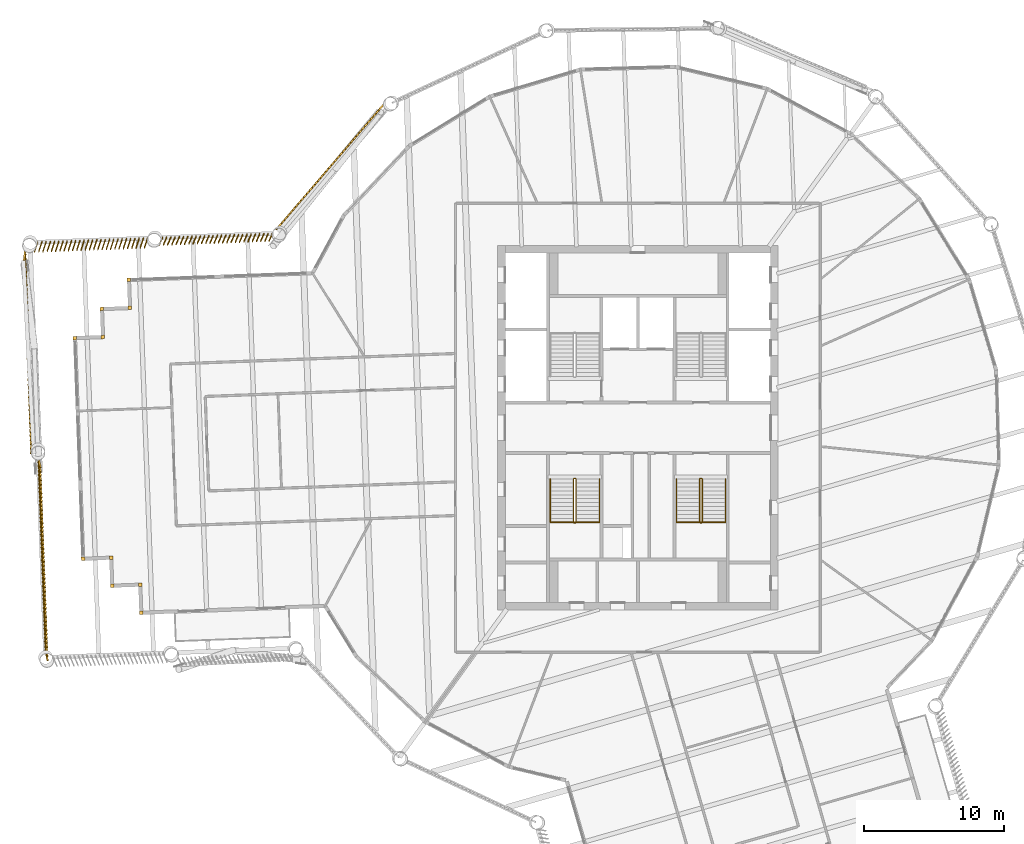
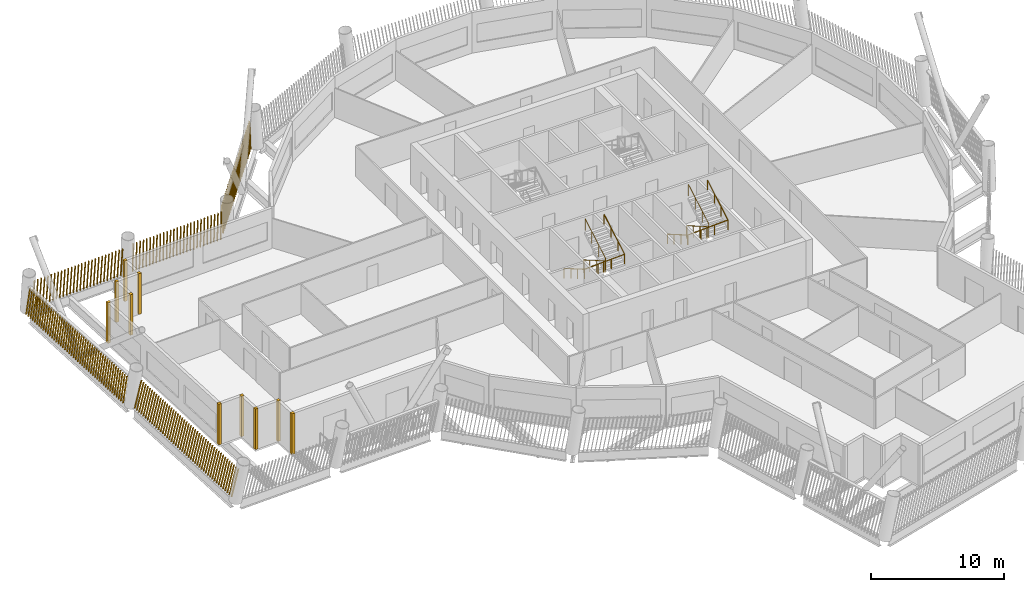
# One storey, part 17 of 20: 15 shading devices, 4 railings.
"""IFC4 building model written with IfcOpenShell, lengths in metres."""

import ifcopenshell
import ifcopenshell.guid

model = None  # the IFC model being written
_history = None  # IfcOwnerHistory: only IFC2X3 demands one
_inside = {}  # id of a spatial element -> (the spatial element, [elements in it])
_under = {}  # id of a project, library or spatial element -> (it, [spatial elements below it])
_declared = {}  # id of a project -> (the project, [libraries it declares])
_typed = {}  # id of a type object -> (the type object, [elements of that type])
_made_of = {}  # id of a material, layer set ... -> (it, [elements and type objects made of it])


def new_model(schema):
    """Start an empty IFC model of exactly this schema.

    Asked for "IFC4X3", IfcOpenShell would pick the latest addendum, in which some entities
    have other attributes; the version numbers below select the first issue.
    IFC2X3 requires an IfcOwnerHistory on every rooted entity: one is made here for all.
    """
    global model, _history
    if schema == "IFC4X3":
        model = ifcopenshell.file(schema_version=(4, 3, 0, 0))
    else:
        model = ifcopenshell.file(schema=schema)
    _inside.clear()
    _under.clear()
    _declared.clear()
    _typed.clear()
    _made_of.clear()
    _history = None
    if model.schema == "IFC2X3":
        org = make("IfcOrganization", Name="unknown")
        user = make(
            "IfcPersonAndOrganization",
            ThePerson=make("IfcPerson", FamilyName="unknown"),
            TheOrganization=org,
        )
        app = make(
            "IfcApplication",
            ApplicationDeveloper=org,
            Version="unknown",
            ApplicationFullName="unknown",
            ApplicationIdentifier="unknown",
        )
        _history = make(
            "IfcOwnerHistory",
            OwningUser=user,
            OwningApplication=app,
            ChangeAction="ADDED",
            CreationDate=0,
        )
    return model


def make(cls, **values):
    """One entity of the class cls with the attributes given. An attribute that is None is left unset."""
    return model.create_entity(
        cls, **{name: value for name, value in values.items() if value is not None}
    )


def rooted(cls, **values):
    """An entity with a GlobalId (a new one), such as an element, a storey or a relation."""
    return make(cls, GlobalId=ifcopenshell.guid.new(), OwnerHistory=_history, **values)


def si_unit(unit_type, name, prefix=None):
    """IfcSIUnit, for example si_unit("LENGTHUNIT", "METRE", prefix="MILLI")."""
    return make("IfcSIUnit", UnitType=unit_type, Prefix=prefix, Name=name)


def assignment(units):
    """IfcUnitAssignment: the units of a project."""
    return None if units is None else make("IfcUnitAssignment", Units=units)


def point(xyz):
    """IfcCartesianPoint."""
    return None if xyz is None else make("IfcCartesianPoint", Coordinates=xyz)


def direction(xyz):
    """IfcDirection."""
    return None if xyz is None else make("IfcDirection", DirectionRatios=xyz)


def frame(location, z_axis=None, x_axis=None):
    """IfcAxis2Placement3D, a coordinate frame: its origin and axes. An axis left out is left unset."""
    return make(
        "IfcAxis2Placement3D",
        Location=point(location),
        Axis=direction(z_axis),
        RefDirection=direction(x_axis),
    )


def frame_2d(location, x_axis=None):
    """IfcAxis2Placement2D, a coordinate frame in the plane: its origin and x axis."""
    return make(
        "IfcAxis2Placement2D", Location=point(location), RefDirection=direction(x_axis)
    )


def origin():
    """The frame at (0, 0, 0) with its axes left unset."""
    return frame((0.0, 0.0, 0.0))


def origin_2d():
    """The frame at (0, 0) in the plane with its x axis left unset."""
    return frame_2d((0.0, 0.0))


def place(relative_to, where):
    """IfcLocalPlacement: puts the frame where relative to a parent placement (None: the world)."""
    return make(
        "IfcLocalPlacement", PlacementRelTo=relative_to, RelativePlacement=where
    )


def context(
    kind, dimensions, precision=None, world=None, true_north=None, identifier=None
):
    """IfcGeometricRepresentationContext, for example the 3D "Model" context."""
    return make(
        "IfcGeometricRepresentationContext",
        ContextIdentifier=identifier,
        ContextType=kind,
        CoordinateSpaceDimension=dimensions,
        Precision=precision,
        WorldCoordinateSystem=world,
        TrueNorth=true_north,
    )


def subcontext(parent, identifier, kind, view, scale=None):
    """IfcGeometricRepresentationSubContext, for example "Body" below "Model"."""
    return make(
        "IfcGeometricRepresentationSubContext",
        ContextIdentifier=identifier,
        ContextType=kind,
        ParentContext=parent,
        TargetScale=scale,
        TargetView=view,
    )


def project(units=None, contexts=None):
    """IfcProject with its units and contexts."""
    return rooted(
        "IfcProject",
        Name="project",
        RepresentationContexts=contexts,
        UnitsInContext=assignment(units),
    )


def spatial(cls, under=None, at=None, **own):
    """A site, building, storey or space (cls), placed at a placement, below another one or the project."""
    s = rooted(cls, ObjectPlacement=at, **own)
    if under is not None:
        _under.setdefault(under.id(), (under, []))[1].append(s)
    return s


def profile(cls, at=None, kind="AREA", **sizes):
    """A parametric profile (cls). Its sizes go by their IFC names, for example OverallWidth=200.0."""
    return make(cls, ProfileType=kind, Position=at, **sizes)


def rectangle(**sizes):
    """IfcRectangleProfileDef."""
    return profile("IfcRectangleProfileDef", **sizes)


def circle(**sizes):
    """IfcCircleProfileDef."""
    return profile("IfcCircleProfileDef", **sizes)


def composite_profile(profiles, kind="AREA"):
    """IfcCompositeProfileDef: several profiles as one."""
    return make("IfcCompositeProfileDef", ProfileType=kind, Profiles=profiles)


def extrude(swept, where, along, depth):
    """IfcExtrudedAreaSolid: the profile swept, set in the frame where, extruded along a direction by depth."""
    return make(
        "IfcExtrudedAreaSolid",
        SweptArea=swept,
        Position=where,
        ExtrudedDirection=direction(along),
        Depth=depth,
    )


def shape(context_of_items, identifier, shape_type, items):
    """IfcShapeRepresentation: the items that make up one representation, for example the "Body"."""
    return make(
        "IfcShapeRepresentation",
        ContextOfItems=context_of_items,
        RepresentationIdentifier=identifier,
        RepresentationType=shape_type,
        Items=items,
    )


def material(Name=None, Category=None):
    """IfcMaterial."""
    return make("IfcMaterial", Name=Name, Category=Category)


def made_of(thing, what):
    """Note that an element or type object is made of a material, layer set ...; save() writes the relation."""
    if what is not None:
        _made_of.setdefault(what.id(), (what, []))[1].append(thing)
    return thing


def type_object(cls, material=None, **own):
    """A type object (cls), such as IfcWallType, which elements share."""
    return made_of(rooted(cls, **own), material)


def element(
    cls,
    number,
    at=None,
    inside=None,
    cuts=None,
    type_object=None,
    material=None,
    context=None,
    identifier="Body",
    shape_type=None,
    held_by="IfcProductDefinitionShape",
    body=None,
    shapes=None,
    **own,
):
    """One element of the class cls, such as IfcWall. Its Tag is "e" and its number.

    at: its placement. inside: the storey or other place that contains it. cuts: it is an
    opening in that element (IfcRelVoidsElement). A single representation is given by context,
    identifier, shape_type and body (its items); several are given by shapes. held_by: the class
    of the entity that holds the representations. save() writes the other relations.
    """
    e = rooted(cls, Tag="e%d" % number, ObjectPlacement=at, **own)
    if body is not None:
        shapes = [shape(context, identifier, shape_type, body)]
    if shapes is not None:
        e.Representation = make(held_by, Representations=shapes)
    if inside is not None:
        _inside.setdefault(inside.id(), (inside, []))[1].append(e)
    if cuts is not None:
        rooted(
            "IfcRelVoidsElement", RelatingBuildingElement=cuts, RelatedOpeningElement=e
        )
    if type_object is not None:
        _typed.setdefault(type_object.id(), (type_object, []))[1].append(e)
    return made_of(e, material)


def aggregate(whole, parts):
    """IfcRelAggregates: a whole, such as a stair, and the parts it consists of."""
    return rooted("IfcRelAggregates", RelatingObject=whole, RelatedObjects=parts)


def save(model, path):
    """Write the relations noted so far, then the file.

    IfcRelAggregates (storeys below a building ...), IfcRelContainedInSpatialStructure (elements
    in a storey), IfcRelDefinesByType, IfcRelAssociatesMaterial and IfcRelDeclares: one each for
    every whole, place, type object, material and project.
    """
    for whole, parts in _under.values():
        aggregate(whole, parts)
    for where, things in _inside.values():
        rooted(
            "IfcRelContainedInSpatialStructure",
            RelatedElements=things,
            RelatingStructure=where,
        )
    for kind, things in _typed.values():
        rooted("IfcRelDefinesByType", RelatedObjects=things, RelatingType=kind)
    for what, things in _made_of.values():
        rooted("IfcRelAssociatesMaterial", RelatedObjects=things, RelatingMaterial=what)
    for by, libraries in _declared.values():
        rooted("IfcRelDeclares", RelatingContext=by, RelatedDefinitions=libraries)
    model.write(path)


model = new_model("IFC4")

# Units and contexts
model_context = context("Model", 3, precision=1e-05, world=origin(), true_north=direction((0.0, 1.0)))
body_context = subcontext(model_context, "Body", "Model", "MODEL_VIEW")
ifc_project = project(units=[si_unit("LENGTHUNIT", "METRE"), si_unit("AREAUNIT", "SQUARE_METRE"), si_unit("VOLUMEUNIT", "CUBIC_METRE"), si_unit("PLANEANGLEUNIT", "RADIAN"), si_unit("MASSUNIT", "GRAM", prefix="KILO")], contexts=[model_context])

# Site, building, storey
site_placement = place(None, origin())
site = spatial("IfcSite", under=ifc_project, at=site_placement, CompositionType="ELEMENT")
building_placement = place(site_placement, origin())
building = spatial("IfcBuilding", under=site, at=building_placement, Name="Tarsis Ring Headquarters", CompositionType="ELEMENT")
storey_placement = place(building_placement, frame((0.0, 0.0, 294.199951171875)))
storey = spatial("IfcBuildingStorey", under=building, at=storey_placement, Name="L69", CompositionType="ELEMENT", Elevation=294.199951171875)

# Railings
ifc_material_1 = material(Name="Steel S355", Category="steel")
railing_type_1 = type_object("IfcRailingType", Name="Core stair guard 1100", PredefinedType="GUARDRAIL", material=ifc_material_1)
railing_1_placement = place(storey_placement, frame((-4.4599609375, -3.610107421875, 0.0)))
element("IfcRailing", 1, at=railing_1_placement, inside=storey, type_object=railing_type_1, Name="L69 ST3 stair guard 1", PredefinedType="GUARDRAIL", context=body_context, shape_type="SweptSolid", body=[
    extrude(circle(Radius=0.02392578125, at=origin_2d()), frame((0.0, 0.0, 1.076171875), z_axis=(-1.0, 0.0, 0.0), x_axis=(0.0, -1.0, 0.0)), (0.0, 0.0, 1.0), 0.080078125),
    extrude(circle(Radius=0.02392578125, at=origin_2d()), frame((-0.080078125, 0.0, 1.076171875), z_axis=(-0.282336740067, -0.280959487676, 0.917250092119), x_axis=(0.705375805398, -0.708833529934, 0.0)), (0.0, 0.0, 1.0), 0.17724609375),
    extrude(circle(Radius=0.02392578125, at=origin_2d()), frame((-0.130126953125, -0.0498046875, 1.23876953125), z_axis=(0.0, -0.864920483161, 0.501908913857), x_axis=(1.0, 0.0, 0.0)), (0.0, 0.0, 1.0), 3.56103515625),
    extrude(circle(Radius=0.02392578125, at=origin_2d()), frame((-0.130126953125, -3.1298828125, 3.02587890625), z_axis=(0.707106781187, -0.707106781187, 0.0), x_axis=(0.707106781187, 0.707106781187, 0.0)), (0.0, 0.0, 1.0), 0.07080078125),
    extrude(circle(Radius=0.02392578125, at=origin_2d()), frame((-0.080078125, -3.179931640625, 3.02587890625), z_axis=(1.0, 0.0, 0.0), x_axis=(0.0, 1.0, 0.0)), (0.0, 0.0, 1.0), 0.080078125),
    extrude(circle(Radius=0.02392578125, at=origin_2d()), frame((0.0, -3.179931640625, 3.02587890625), z_axis=(0.282227285176, 0.282227285176, 0.916894497205), x_axis=(-0.707106781187, 0.707106781187, 0.0)), (0.0, 0.0, 1.0), 0.17724609375),
    extrude(circle(Radius=0.02392578125, at=origin_2d()), frame((0.050048828125, -3.1298828125, 3.1884765625), z_axis=(0.0, 0.864890721111, 0.501960198159), x_axis=(-1.0, 0.0, 0.0)), (0.0, 0.0, 1.0), 3.561279296875),
    extrude(circle(Radius=0.02099609375, at=origin_2d()), origin(), (0.0, 0.0, 1.0), 1.052001953125),
    extrude(circle(Radius=0.02099609375, at=origin_2d()), frame((-0.080078125, 0.0, 0.0)), (0.0, 0.0, 1.0), 1.052001953125),
    extrude(circle(Radius=0.02099609375, at=origin_2d()), frame((-0.130126953125, -0.0498046875, 0.16259765625)), (0.0, 0.0, 1.0), 1.052001953125),
    extrude(circle(Radius=0.02099609375, at=origin_2d()), frame((-0.130126953125, -1.076416015625, 0.75830078125)), (0.0, 0.0, 1.0), 1.052001953125),
    extrude(circle(Radius=0.02099609375, at=origin_2d()), frame((-0.130126953125, -2.103271484375, 1.354248046875)), (0.0, 0.0, 1.0), 1.052001953125),
    extrude(circle(Radius=0.02099609375, at=origin_2d()), frame((-0.130126953125, -3.1298828125, 1.949951171875)), (0.0, 0.0, 1.0), 1.052001953125),
    extrude(circle(Radius=0.02099609375, at=origin_2d()), frame((-0.080078125, -3.179931640625, 1.949951171875)), (0.0, 0.0, 1.0), 1.052001953125),
    extrude(circle(Radius=0.02099609375, at=origin_2d()), frame((0.0, -3.179931640625, 1.949951171875)), (0.0, 0.0, 1.0), 1.052001953125),
    extrude(circle(Radius=0.02099609375, at=origin_2d()), frame((0.050048828125, -3.1298828125, 2.112548828125)), (0.0, 0.0, 1.0), 1.052001953125),
    extrude(circle(Radius=0.02099609375, at=origin_2d()), frame((0.050048828125, -2.103271484375, 2.70849609375)), (0.0, 0.0, 1.0), 1.052001953125),
    extrude(circle(Radius=0.02099609375, at=origin_2d()), frame((0.050048828125, -1.076416015625, 3.30419921875)), (0.0, 0.0, 1.0), 1.052001953125),
    extrude(circle(Radius=0.02099609375, at=origin_2d()), frame((0.050048828125, -0.0498046875, 3.900146484375)), (0.0, 0.0, 1.0), 1.052001953125),
])
railing_2_placement = place(storey_placement, frame((4.5400390625, -3.610107421875, 0.0)))
element("IfcRailing", 2, at=railing_2_placement, inside=storey, type_object=railing_type_1, Name="L69 ST4 stair guard 1", PredefinedType="GUARDRAIL", context=body_context, shape_type="SweptSolid", body=[
    extrude(circle(Radius=0.02392578125, at=origin_2d()), frame((0.0, 0.0, 1.076171875), z_axis=(-1.0, 0.0, 0.0), x_axis=(0.0, -1.0, 0.0)), (0.0, 0.0, 1.0), 0.080078125),
    extrude(circle(Radius=0.02392578125, at=origin_2d()), frame((-0.080078125, 0.0, 1.076171875), z_axis=(-0.282336740067, -0.280959487676, 0.917250092119), x_axis=(0.705375805398, -0.708833529934, 0.0)), (0.0, 0.0, 1.0), 0.17724609375),
    extrude(circle(Radius=0.02392578125, at=origin_2d()), frame((-0.130126953125, -0.0498046875, 1.23876953125), z_axis=(0.0, -0.864920483161, 0.501908913857), x_axis=(1.0, 0.0, 0.0)), (0.0, 0.0, 1.0), 3.56103515625),
    extrude(circle(Radius=0.02392578125, at=origin_2d()), frame((-0.130126953125, -3.1298828125, 3.02587890625), z_axis=(0.707106781187, -0.707106781187, 0.0), x_axis=(0.707106781187, 0.707106781187, 0.0)), (0.0, 0.0, 1.0), 0.07080078125),
    extrude(circle(Radius=0.02392578125, at=origin_2d()), frame((-0.080078125, -3.179931640625, 3.02587890625), z_axis=(1.0, 0.0, 0.0), x_axis=(0.0, 1.0, 0.0)), (0.0, 0.0, 1.0), 0.080078125),
    extrude(circle(Radius=0.02392578125, at=origin_2d()), frame((0.0, -3.179931640625, 3.02587890625), z_axis=(0.282227285176, 0.282227285176, 0.916894497205), x_axis=(-0.707106781187, 0.707106781187, 0.0)), (0.0, 0.0, 1.0), 0.17724609375),
    extrude(circle(Radius=0.02392578125, at=origin_2d()), frame((0.050048828125, -3.1298828125, 3.1884765625), z_axis=(0.0, 0.864890721111, 0.501960198159), x_axis=(-1.0, 0.0, 0.0)), (0.0, 0.0, 1.0), 3.561279296875),
    extrude(circle(Radius=0.02099609375, at=origin_2d()), origin(), (0.0, 0.0, 1.0), 1.052001953125),
    extrude(circle(Radius=0.02099609375, at=origin_2d()), frame((-0.080078125, 0.0, 0.0)), (0.0, 0.0, 1.0), 1.052001953125),
    extrude(circle(Radius=0.02099609375, at=origin_2d()), frame((-0.130126953125, -0.0498046875, 0.16259765625)), (0.0, 0.0, 1.0), 1.052001953125),
    extrude(circle(Radius=0.02099609375, at=origin_2d()), frame((-0.130126953125, -1.076416015625, 0.75830078125)), (0.0, 0.0, 1.0), 1.052001953125),
    extrude(circle(Radius=0.02099609375, at=origin_2d()), frame((-0.130126953125, -2.103271484375, 1.354248046875)), (0.0, 0.0, 1.0), 1.052001953125),
    extrude(circle(Radius=0.02099609375, at=origin_2d()), frame((-0.130126953125, -3.1298828125, 1.949951171875)), (0.0, 0.0, 1.0), 1.052001953125),
    extrude(circle(Radius=0.02099609375, at=origin_2d()), frame((-0.080078125, -3.179931640625, 1.949951171875)), (0.0, 0.0, 1.0), 1.052001953125),
    extrude(circle(Radius=0.02099609375, at=origin_2d()), frame((0.0, -3.179931640625, 1.949951171875)), (0.0, 0.0, 1.0), 1.052001953125),
    extrude(circle(Radius=0.02099609375, at=origin_2d()), frame((0.050048828125, -3.1298828125, 2.112548828125)), (0.0, 0.0, 1.0), 1.052001953125),
    extrude(circle(Radius=0.02099609375, at=origin_2d()), frame((0.050048828125, -2.103271484375, 2.70849609375)), (0.0, 0.0, 1.0), 1.052001953125),
    extrude(circle(Radius=0.02099609375, at=origin_2d()), frame((0.050048828125, -1.076416015625, 3.30419921875)), (0.0, 0.0, 1.0), 1.052001953125),
    extrude(circle(Radius=0.02099609375, at=origin_2d()), frame((0.050048828125, -0.0498046875, 3.900146484375)), (0.0, 0.0, 1.0), 1.052001953125),
])
railing_type_2 = type_object("IfcRailingType", Name="Core stair handrail 900", PredefinedType="HANDRAIL", material=ifc_material_1)
railing_3_placement = place(storey_placement, frame((-6.25, -3.659912109375, 0.16259765625)))
element("IfcRailing", 3, at=railing_3_placement, inside=storey, type_object=railing_type_2, Name="L69 ST3 stair handrail 1", PredefinedType="HANDRAIL", context=body_context, shape_type="SweptSolid", body=[
    extrude(circle(Radius=0.02392578125, at=origin_2d()), frame((0.0, 0.0, 0.8759765625), z_axis=(0.0, -0.864920483161, 0.501908913857), x_axis=(1.0, 0.0, 0.0)), (0.0, 0.0, 1.0), 3.56103515625),
    extrude(circle(Radius=0.02392578125, at=origin_2d()), frame((0.0, -3.080078125, 2.6630859375), z_axis=(0.998922641604, 0.0, 0.046406422943), x_axis=(0.0, 1.0, 0.0)), (0.0, 0.0, 1.0), 3.503662109375),
    extrude(circle(Radius=0.02392578125, at=origin_2d()), frame((3.5, -3.080078125, 2.82568359375), z_axis=(0.0, 0.864890721111, 0.501960198159), x_axis=(-1.0, 0.0, 0.0)), (0.0, 0.0, 1.0), 3.561279296875),
    extrude(circle(Radius=0.02099609375, at=origin_2d()), origin(), (0.0, 0.0, 1.0), 0.851806640625),
    extrude(circle(Radius=0.02099609375, at=origin_2d()), frame((0.0, -1.026611328125, 0.595703125)), (0.0, 0.0, 1.0), 0.851806640625),
    extrude(circle(Radius=0.02099609375, at=origin_2d()), frame((0.0, -2.053466796875, 1.191650390625)), (0.0, 0.0, 1.0), 0.851806640625),
    extrude(circle(Radius=0.02099609375, at=origin_2d()), frame((0.0, -3.080078125, 1.787353515625)), (0.0, 0.0, 1.0), 0.851806640625),
    extrude(circle(Radius=0.02099609375, at=origin_2d()), frame((1.166748046875, -3.080078125, 1.841552734375)), (0.0, 0.0, 1.0), 0.851806640625),
    extrude(circle(Radius=0.02099609375, at=origin_2d()), frame((2.333251953125, -3.080078125, 1.895751953125)), (0.0, 0.0, 1.0), 0.851806640625),
    extrude(circle(Radius=0.02099609375, at=origin_2d()), frame((3.5, -3.080078125, 1.949951171875)), (0.0, 0.0, 1.0), 0.851806640625),
    extrude(circle(Radius=0.02099609375, at=origin_2d()), frame((3.5, -2.053466796875, 2.5458984375)), (0.0, 0.0, 1.0), 0.851806640625),
    extrude(circle(Radius=0.02099609375, at=origin_2d()), frame((3.5, -1.026611328125, 3.1416015625)), (0.0, 0.0, 1.0), 0.851806640625),
    extrude(circle(Radius=0.02099609375, at=origin_2d()), frame((3.5, 0.0, 3.737548828125)), (0.0, 0.0, 1.0), 0.851806640625),
])
railing_4_placement = place(storey_placement, frame((2.75, -3.659912109375, 0.16259765625)))
element("IfcRailing", 4, at=railing_4_placement, inside=storey, type_object=railing_type_2, Name="L69 ST4 stair handrail 1", PredefinedType="HANDRAIL", context=body_context, shape_type="SweptSolid", body=[
    extrude(circle(Radius=0.02392578125, at=origin_2d()), frame((0.0, 0.0, 0.8759765625), z_axis=(0.0, -0.864920483161, 0.501908913857), x_axis=(1.0, 0.0, 0.0)), (0.0, 0.0, 1.0), 3.56103515625),
    extrude(circle(Radius=0.02392578125, at=origin_2d()), frame((0.0, -3.080078125, 2.6630859375), z_axis=(0.998922641604, 0.0, 0.046406422943), x_axis=(0.0, 1.0, 0.0)), (0.0, 0.0, 1.0), 3.503662109375),
    extrude(circle(Radius=0.02392578125, at=origin_2d()), frame((3.5, -3.080078125, 2.82568359375), z_axis=(0.0, 0.864890721111, 0.501960198159), x_axis=(-1.0, 0.0, 0.0)), (0.0, 0.0, 1.0), 3.561279296875),
    extrude(circle(Radius=0.02099609375, at=origin_2d()), origin(), (0.0, 0.0, 1.0), 0.851806640625),
    extrude(circle(Radius=0.02099609375, at=origin_2d()), frame((0.0, -1.026611328125, 0.595703125)), (0.0, 0.0, 1.0), 0.851806640625),
    extrude(circle(Radius=0.02099609375, at=origin_2d()), frame((0.0, -2.053466796875, 1.191650390625)), (0.0, 0.0, 1.0), 0.851806640625),
    extrude(circle(Radius=0.02099609375, at=origin_2d()), frame((0.0, -3.080078125, 1.787353515625)), (0.0, 0.0, 1.0), 0.851806640625),
    extrude(circle(Radius=0.02099609375, at=origin_2d()), frame((1.166748046875, -3.080078125, 1.841552734375)), (0.0, 0.0, 1.0), 0.851806640625),
    extrude(circle(Radius=0.02099609375, at=origin_2d()), frame((2.333251953125, -3.080078125, 1.895751953125)), (0.0, 0.0, 1.0), 0.851806640625),
    extrude(circle(Radius=0.02099609375, at=origin_2d()), frame((3.5, -3.080078125, 1.949951171875)), (0.0, 0.0, 1.0), 0.851806640625),
    extrude(circle(Radius=0.02099609375, at=origin_2d()), frame((3.5, -2.053466796875, 2.5458984375)), (0.0, 0.0, 1.0), 0.851806640625),
    extrude(circle(Radius=0.02099609375, at=origin_2d()), frame((3.5, -1.026611328125, 3.1416015625)), (0.0, 0.0, 1.0), 0.851806640625),
    extrude(circle(Radius=0.02099609375, at=origin_2d()), frame((3.5, 0.0, 3.737548828125)), (0.0, 0.0, 1.0), 0.851806640625),
])

# Shading devices
ifc_material_2 = material(Name="Terracotta baguette", Category="masonry")
shading_device_type_1 = type_object("IfcShadingDeviceType", Name="Terracotta baguette screen", PredefinedType="USERDEFINED", material=ifc_material_2)
shading_device_1_placement = place(storey_placement, frame((-18.15185546875, 23.019287109375, 0.0), z_axis=(0.0, 0.0, 1.0), x_axis=(-0.651850244167, -0.758350515464, 0.0)))
element("IfcShadingDevice", 5, at=shading_device_1_placement, inside=storey, type_object=shading_device_type_1, Name="Baguette screen L69-14", ObjectType="Terracotta baguette screen", PredefinedType="USERDEFINED", context=body_context, shape_type="SweptSolid", body=[
    extrude(composite_profile([rectangle(XDim=0.06005859375, YDim=0.1201171875, at=frame_2d((0.030029296875, 0.0))), rectangle(XDim=0.06005859375, YDim=0.1201171875, at=frame_2d((0.33251953125, 0.0))), rectangle(XDim=0.06005859375, YDim=0.1201171875, at=frame_2d((0.634765625, 0.0))), rectangle(XDim=0.06005859375, YDim=0.1201171875, at=frame_2d((0.937255859375, 0.0))), rectangle(XDim=0.06005859375, YDim=0.1201171875, at=frame_2d((1.239501953125, 0.0))), rectangle(XDim=0.06005859375, YDim=0.1201171875, at=frame_2d((1.5419921875, 0.0))), rectangle(XDim=0.06005859375, YDim=0.1201171875, at=frame_2d((1.844482421875, 0.0))), rectangle(XDim=0.06005859375, YDim=0.1201171875, at=frame_2d((2.146728515625, 0.0))), rectangle(XDim=0.06005859375, YDim=0.1201171875, at=frame_2d((2.44921875, 0.0))), rectangle(XDim=0.06005859375, YDim=0.1201171875, at=frame_2d((2.751708984375, 0.0))), rectangle(XDim=0.06005859375, YDim=0.1201171875, at=frame_2d((3.053955078125, 0.0))), rectangle(XDim=0.06005859375, YDim=0.1201171875, at=frame_2d((3.3564453125, 0.0))), rectangle(XDim=0.06005859375, YDim=0.1201171875, at=frame_2d((3.65869140625, 0.0))), rectangle(XDim=0.06005859375, YDim=0.1201171875, at=frame_2d((3.961181640625, 0.0))), rectangle(XDim=0.06005859375, YDim=0.1201171875, at=frame_2d((4.263671875, 0.0))), rectangle(XDim=0.06005859375, YDim=0.1201171875, at=frame_2d((4.56591796875, 0.0))), rectangle(XDim=0.06005859375, YDim=0.1201171875, at=frame_2d((4.868408203125, 0.0))), rectangle(XDim=0.06005859375, YDim=0.1201171875, at=frame_2d((5.1708984375, 0.0))), rectangle(XDim=0.06005859375, YDim=0.1201171875, at=frame_2d((5.47314453125, 0.0))), rectangle(XDim=0.06005859375, YDim=0.1201171875, at=frame_2d((5.775634765625, 0.0))), rectangle(XDim=0.06005859375, YDim=0.1201171875, at=frame_2d((6.077880859375, 0.0))), rectangle(XDim=0.06005859375, YDim=0.1201171875, at=frame_2d((6.38037109375, 0.0))), rectangle(XDim=0.06005859375, YDim=0.1201171875, at=frame_2d((6.682861328125, 0.0))), rectangle(XDim=0.06005859375, YDim=0.1201171875, at=frame_2d((6.985107421875, 0.0))), rectangle(XDim=0.06005859375, YDim=0.1201171875, at=frame_2d((7.28759765625, 0.0))), rectangle(XDim=0.06005859375, YDim=0.1201171875, at=frame_2d((7.590087890625, 0.0))), rectangle(XDim=0.06005859375, YDim=0.1201171875, at=frame_2d((7.892333984375, 0.0))), rectangle(XDim=0.06005859375, YDim=0.1201171875, at=frame_2d((8.19482421875, 0.0))), rectangle(XDim=0.06005859375, YDim=0.1201171875, at=frame_2d((8.4970703125, 0.0))), rectangle(XDim=0.06005859375, YDim=0.1201171875, at=frame_2d((8.799560546875, 0.0))), rectangle(XDim=0.06005859375, YDim=0.1201171875, at=frame_2d((9.10205078125, 0.0))), rectangle(XDim=0.06005859375, YDim=0.1201171875, at=frame_2d((9.404296875, 0.0))), rectangle(XDim=0.06005859375, YDim=0.1201171875, at=frame_2d((9.706787109375, 0.0))), rectangle(XDim=0.06005859375, YDim=0.1201171875, at=frame_2d((10.00927734375, 0.0))), rectangle(XDim=0.06005859375, YDim=0.1201171875, at=frame_2d((10.3115234375, 0.0))), rectangle(XDim=0.06005859375, YDim=0.1201171875, at=frame_2d((10.614013671875, 0.0))), rectangle(XDim=0.06005859375, YDim=0.1201171875, at=frame_2d((10.916259765625, 0.0))), rectangle(XDim=0.06005859375, YDim=0.1201171875, at=frame_2d((11.21875, 0.0)))]), origin(), (0.166818823922, 0.001455640477, 0.985986491335), 3.010009765625),
])
shading_device_2_placement = place(storey_placement, frame((-26.025634765625, 13.8466796875, 0.0), z_axis=(0.0, 0.0, 1.0), x_axis=(-0.999320295363, -0.03698211141, 0.0)))
element("IfcShadingDevice", 6, at=shading_device_2_placement, inside=storey, type_object=shading_device_type_1, Name="Baguette screen L69-15", ObjectType="Terracotta baguette screen", PredefinedType="USERDEFINED", context=body_context, shape_type="SweptSolid", body=[
    extrude(composite_profile([rectangle(XDim=0.06005859375, YDim=0.1201171875, at=frame_2d((0.030029296875, 0.0))), rectangle(XDim=0.06005859375, YDim=0.1201171875, at=frame_2d((0.33154296875, 0.0))), rectangle(XDim=0.06005859375, YDim=0.1201171875, at=frame_2d((0.63330078125, 0.0))), rectangle(XDim=0.06005859375, YDim=0.1201171875, at=frame_2d((0.934814453125, 0.0))), rectangle(XDim=0.06005859375, YDim=0.1201171875, at=frame_2d((1.236572265625, 0.0))), rectangle(XDim=0.06005859375, YDim=0.1201171875, at=frame_2d((1.5380859375, 0.0))), rectangle(XDim=0.06005859375, YDim=0.1201171875, at=frame_2d((1.83984375, 0.0))), rectangle(XDim=0.06005859375, YDim=0.1201171875, at=frame_2d((2.141357421875, 0.0))), rectangle(XDim=0.06005859375, YDim=0.1201171875, at=frame_2d((2.443115234375, 0.0))), rectangle(XDim=0.06005859375, YDim=0.1201171875, at=frame_2d((2.74462890625, 0.0))), rectangle(XDim=0.06005859375, YDim=0.1201171875, at=frame_2d((3.04638671875, 0.0))), rectangle(XDim=0.06005859375, YDim=0.1201171875, at=frame_2d((3.347900390625, 0.0))), rectangle(XDim=0.06005859375, YDim=0.1201171875, at=frame_2d((3.649658203125, 0.0))), rectangle(XDim=0.06005859375, YDim=0.1201171875, at=frame_2d((3.951171875, 0.0))), rectangle(XDim=0.06005859375, YDim=0.1201171875, at=frame_2d((4.252685546875, 0.0))), rectangle(XDim=0.06005859375, YDim=0.1201171875, at=frame_2d((4.554443359375, 0.0))), rectangle(XDim=0.06005859375, YDim=0.1201171875, at=frame_2d((4.85595703125, 0.0))), rectangle(XDim=0.06005859375, YDim=0.1201171875, at=frame_2d((5.15771484375, 0.0))), rectangle(XDim=0.06005859375, YDim=0.1201171875, at=frame_2d((5.459228515625, 0.0))), rectangle(XDim=0.06005859375, YDim=0.1201171875, at=frame_2d((5.760986328125, 0.0))), rectangle(XDim=0.06005859375, YDim=0.1201171875, at=frame_2d((6.0625, 0.0))), rectangle(XDim=0.06005859375, YDim=0.1201171875, at=frame_2d((6.3642578125, 0.0))), rectangle(XDim=0.06005859375, YDim=0.1201171875, at=frame_2d((6.665771484375, 0.0))), rectangle(XDim=0.06005859375, YDim=0.1201171875, at=frame_2d((6.967529296875, 0.0))), rectangle(XDim=0.06005859375, YDim=0.1201171875, at=frame_2d((7.26904296875, 0.0))), rectangle(XDim=0.06005859375, YDim=0.1201171875, at=frame_2d((7.57080078125, 0.0))), rectangle(XDim=0.06005859375, YDim=0.1201171875, at=frame_2d((7.872314453125, 0.0)))]), origin(), (0.083958556875, 0.170748929457, 0.981731003797), 3.02294921875),
])
shading_device_3_placement = place(storey_placement, frame((-34.921630859375, 13.517333984375, 0.0), z_axis=(0.0, 0.0, 1.0), x_axis=(-0.999320316362, -0.036980968858, 0.0)))
element("IfcShadingDevice", 7, at=shading_device_3_placement, inside=storey, type_object=shading_device_type_1, Name="Baguette screen L69-16", ObjectType="Terracotta baguette screen", PredefinedType="USERDEFINED", context=body_context, shape_type="SweptSolid", body=[
    extrude(composite_profile([rectangle(XDim=0.06005859375, YDim=0.1201171875, at=frame_2d((0.030029296875, 0.0))), rectangle(XDim=0.06005859375, YDim=0.1201171875, at=frame_2d((0.33154296875, 0.0))), rectangle(XDim=0.06005859375, YDim=0.1201171875, at=frame_2d((0.63330078125, 0.0))), rectangle(XDim=0.06005859375, YDim=0.1201171875, at=frame_2d((0.934814453125, 0.0))), rectangle(XDim=0.06005859375, YDim=0.1201171875, at=frame_2d((1.236572265625, 0.0))), rectangle(XDim=0.06005859375, YDim=0.1201171875, at=frame_2d((1.5380859375, 0.0))), rectangle(XDim=0.06005859375, YDim=0.1201171875, at=frame_2d((1.83984375, 0.0))), rectangle(XDim=0.06005859375, YDim=0.1201171875, at=frame_2d((2.141357421875, 0.0))), rectangle(XDim=0.06005859375, YDim=0.1201171875, at=frame_2d((2.443115234375, 0.0))), rectangle(XDim=0.06005859375, YDim=0.1201171875, at=frame_2d((2.74462890625, 0.0))), rectangle(XDim=0.06005859375, YDim=0.1201171875, at=frame_2d((3.04638671875, 0.0))), rectangle(XDim=0.06005859375, YDim=0.1201171875, at=frame_2d((3.347900390625, 0.0))), rectangle(XDim=0.06005859375, YDim=0.1201171875, at=frame_2d((3.649658203125, 0.0))), rectangle(XDim=0.06005859375, YDim=0.1201171875, at=frame_2d((3.951171875, 0.0))), rectangle(XDim=0.06005859375, YDim=0.1201171875, at=frame_2d((4.252685546875, 0.0))), rectangle(XDim=0.06005859375, YDim=0.1201171875, at=frame_2d((4.554443359375, 0.0))), rectangle(XDim=0.06005859375, YDim=0.1201171875, at=frame_2d((4.85595703125, 0.0))), rectangle(XDim=0.06005859375, YDim=0.1201171875, at=frame_2d((5.15771484375, 0.0))), rectangle(XDim=0.06005859375, YDim=0.1201171875, at=frame_2d((5.459228515625, 0.0))), rectangle(XDim=0.06005859375, YDim=0.1201171875, at=frame_2d((5.760986328125, 0.0))), rectangle(XDim=0.06005859375, YDim=0.1201171875, at=frame_2d((6.0625, 0.0))), rectangle(XDim=0.06005859375, YDim=0.1201171875, at=frame_2d((6.3642578125, 0.0))), rectangle(XDim=0.06005859375, YDim=0.1201171875, at=frame_2d((6.665771484375, 0.0))), rectangle(XDim=0.06005859375, YDim=0.1201171875, at=frame_2d((6.967529296875, 0.0))), rectangle(XDim=0.06005859375, YDim=0.1201171875, at=frame_2d((7.26904296875, 0.0))), rectangle(XDim=0.06005859375, YDim=0.1201171875, at=frame_2d((7.57080078125, 0.0))), rectangle(XDim=0.06005859375, YDim=0.1201171875, at=frame_2d((7.872314453125, 0.0)))]), origin(), (0.08268180787, 0.219942382415, 0.972002606511), 3.05322265625),
])
shading_device_4_placement = place(storey_placement, frame((-43.674560546875, 12.693115234375, 0.0), z_axis=(0.0, 0.0, 1.0), x_axis=(0.036992481203, -0.999310039805, 0.0)))
element("IfcShadingDevice", 8, at=shading_device_4_placement, inside=storey, type_object=shading_device_type_1, Name="Baguette screen L69-17", ObjectType="Terracotta baguette screen", PredefinedType="USERDEFINED", context=body_context, shape_type="SweptSolid", body=[
    extrude(composite_profile([rectangle(XDim=0.06005859375, YDim=0.1201171875, at=frame_2d((0.030029296875, 0.0))), rectangle(XDim=0.06005859375, YDim=0.1201171875, at=frame_2d((0.33544921875, 0.0))), rectangle(XDim=0.06005859375, YDim=0.1201171875, at=frame_2d((0.640625, 0.0))), rectangle(XDim=0.06005859375, YDim=0.1201171875, at=frame_2d((0.946044921875, 0.0))), rectangle(XDim=0.06005859375, YDim=0.1201171875, at=frame_2d((1.25146484375, 0.0))), rectangle(XDim=0.06005859375, YDim=0.1201171875, at=frame_2d((1.556640625, 0.0))), rectangle(XDim=0.06005859375, YDim=0.1201171875, at=frame_2d((1.862060546875, 0.0))), rectangle(XDim=0.06005859375, YDim=0.1201171875, at=frame_2d((2.16748046875, 0.0))), rectangle(XDim=0.06005859375, YDim=0.1201171875, at=frame_2d((2.47265625, 0.0))), rectangle(XDim=0.06005859375, YDim=0.1201171875, at=frame_2d((2.778076171875, 0.0))), rectangle(XDim=0.06005859375, YDim=0.1201171875, at=frame_2d((3.08349609375, 0.0))), rectangle(XDim=0.06005859375, YDim=0.1201171875, at=frame_2d((3.388671875, 0.0))), rectangle(XDim=0.06005859375, YDim=0.1201171875, at=frame_2d((3.694091796875, 0.0))), rectangle(XDim=0.06005859375, YDim=0.1201171875, at=frame_2d((3.99951171875, 0.0))), rectangle(XDim=0.06005859375, YDim=0.1201171875, at=frame_2d((4.3046875, 0.0))), rectangle(XDim=0.06005859375, YDim=0.1201171875, at=frame_2d((4.610107421875, 0.0))), rectangle(XDim=0.06005859375, YDim=0.1201171875, at=frame_2d((4.91552734375, 0.0))), rectangle(XDim=0.06005859375, YDim=0.1201171875, at=frame_2d((5.220703125, 0.0))), rectangle(XDim=0.06005859375, YDim=0.1201171875, at=frame_2d((5.526123046875, 0.0))), rectangle(XDim=0.06005859375, YDim=0.1201171875, at=frame_2d((5.83154296875, 0.0))), rectangle(XDim=0.06005859375, YDim=0.1201171875, at=frame_2d((6.13671875, 0.0))), rectangle(XDim=0.06005859375, YDim=0.1201171875, at=frame_2d((6.442138671875, 0.0))), rectangle(XDim=0.06005859375, YDim=0.1201171875, at=frame_2d((6.74755859375, 0.0))), rectangle(XDim=0.06005859375, YDim=0.1201171875, at=frame_2d((7.052734375, 0.0))), rectangle(XDim=0.06005859375, YDim=0.1201171875, at=frame_2d((7.358154296875, 0.0))), rectangle(XDim=0.06005859375, YDim=0.1201171875, at=frame_2d((7.66357421875, 0.0))), rectangle(XDim=0.06005859375, YDim=0.1201171875, at=frame_2d((7.96875, 0.0))), rectangle(XDim=0.06005859375, YDim=0.1201171875, at=frame_2d((8.274169921875, 0.0))), rectangle(XDim=0.06005859375, YDim=0.1201171875, at=frame_2d((8.57958984375, 0.0))), rectangle(XDim=0.06005859375, YDim=0.1201171875, at=frame_2d((8.884765625, 0.0))), rectangle(XDim=0.06005859375, YDim=0.1201171875, at=frame_2d((9.190185546875, 0.0))), rectangle(XDim=0.06005859375, YDim=0.1201171875, at=frame_2d((9.49560546875, 0.0))), rectangle(XDim=0.06005859375, YDim=0.1201171875, at=frame_2d((9.80078125, 0.0))), rectangle(XDim=0.06005859375, YDim=0.1201171875, at=frame_2d((10.106201171875, 0.0))), rectangle(XDim=0.06005859375, YDim=0.1201171875, at=frame_2d((10.41162109375, 0.0))), rectangle(XDim=0.06005859375, YDim=0.1201171875, at=frame_2d((10.716796875, 0.0))), rectangle(XDim=0.06005859375, YDim=0.1201171875, at=frame_2d((11.022216796875, 0.0))), rectangle(XDim=0.06005859375, YDim=0.1201171875, at=frame_2d((11.32763671875, 0.0))), rectangle(XDim=0.06005859375, YDim=0.1201171875, at=frame_2d((11.6328125, 0.0))), rectangle(XDim=0.06005859375, YDim=0.1201171875, at=frame_2d((11.938232421875, 0.0))), rectangle(XDim=0.06005859375, YDim=0.1201171875, at=frame_2d((12.24365234375, 0.0))), rectangle(XDim=0.06005859375, YDim=0.1201171875, at=frame_2d((12.548828125, 0.0))), rectangle(XDim=0.06005859375, YDim=0.1201171875, at=frame_2d((12.854248046875, 0.0))), rectangle(XDim=0.06005859375, YDim=0.1201171875, at=frame_2d((13.15966796875, 0.0))), rectangle(XDim=0.06005859375, YDim=0.1201171875, at=frame_2d((13.46484375, 0.0))), rectangle(XDim=0.06005859375, YDim=0.1201171875, at=frame_2d((13.770263671875, 0.0)))]), origin(), (0.246235784847, -0.039994969306, 0.968384397175), 3.064697265625),
])
shading_device_5_placement = place(storey_placement, frame((-42.752197265625, -2.0830078125, 0.0), z_axis=(0.0, 0.0, 1.0), x_axis=(0.036992481203, -0.999310039805, 0.0)))
element("IfcShadingDevice", 9, at=shading_device_5_placement, inside=storey, type_object=shading_device_type_1, Name="Baguette screen L69-18", ObjectType="Terracotta baguette screen", PredefinedType="USERDEFINED", context=body_context, shape_type="SweptSolid", body=[
    extrude(composite_profile([rectangle(XDim=0.06005859375, YDim=0.1201171875, at=frame_2d((0.030029296875, 0.0))), rectangle(XDim=0.06005859375, YDim=0.1201171875, at=frame_2d((0.33544921875, 0.0))), rectangle(XDim=0.06005859375, YDim=0.1201171875, at=frame_2d((0.640625, 0.0))), rectangle(XDim=0.06005859375, YDim=0.1201171875, at=frame_2d((0.946044921875, 0.0))), rectangle(XDim=0.06005859375, YDim=0.1201171875, at=frame_2d((1.25146484375, 0.0))), rectangle(XDim=0.06005859375, YDim=0.1201171875, at=frame_2d((1.556640625, 0.0))), rectangle(XDim=0.06005859375, YDim=0.1201171875, at=frame_2d((1.862060546875, 0.0))), rectangle(XDim=0.06005859375, YDim=0.1201171875, at=frame_2d((2.16748046875, 0.0))), rectangle(XDim=0.06005859375, YDim=0.1201171875, at=frame_2d((2.47265625, 0.0))), rectangle(XDim=0.06005859375, YDim=0.1201171875, at=frame_2d((2.778076171875, 0.0))), rectangle(XDim=0.06005859375, YDim=0.1201171875, at=frame_2d((3.08349609375, 0.0))), rectangle(XDim=0.06005859375, YDim=0.1201171875, at=frame_2d((3.388671875, 0.0))), rectangle(XDim=0.06005859375, YDim=0.1201171875, at=frame_2d((3.694091796875, 0.0))), rectangle(XDim=0.06005859375, YDim=0.1201171875, at=frame_2d((3.99951171875, 0.0))), rectangle(XDim=0.06005859375, YDim=0.1201171875, at=frame_2d((4.3046875, 0.0))), rectangle(XDim=0.06005859375, YDim=0.1201171875, at=frame_2d((4.610107421875, 0.0))), rectangle(XDim=0.06005859375, YDim=0.1201171875, at=frame_2d((4.91552734375, 0.0))), rectangle(XDim=0.06005859375, YDim=0.1201171875, at=frame_2d((5.220703125, 0.0))), rectangle(XDim=0.06005859375, YDim=0.1201171875, at=frame_2d((5.526123046875, 0.0))), rectangle(XDim=0.06005859375, YDim=0.1201171875, at=frame_2d((5.83154296875, 0.0))), rectangle(XDim=0.06005859375, YDim=0.1201171875, at=frame_2d((6.13671875, 0.0))), rectangle(XDim=0.06005859375, YDim=0.1201171875, at=frame_2d((6.442138671875, 0.0))), rectangle(XDim=0.06005859375, YDim=0.1201171875, at=frame_2d((6.74755859375, 0.0))), rectangle(XDim=0.06005859375, YDim=0.1201171875, at=frame_2d((7.052734375, 0.0))), rectangle(XDim=0.06005859375, YDim=0.1201171875, at=frame_2d((7.358154296875, 0.0))), rectangle(XDim=0.06005859375, YDim=0.1201171875, at=frame_2d((7.66357421875, 0.0))), rectangle(XDim=0.06005859375, YDim=0.1201171875, at=frame_2d((7.96875, 0.0))), rectangle(XDim=0.06005859375, YDim=0.1201171875, at=frame_2d((8.274169921875, 0.0))), rectangle(XDim=0.06005859375, YDim=0.1201171875, at=frame_2d((8.57958984375, 0.0))), rectangle(XDim=0.06005859375, YDim=0.1201171875, at=frame_2d((8.884765625, 0.0))), rectangle(XDim=0.06005859375, YDim=0.1201171875, at=frame_2d((9.190185546875, 0.0))), rectangle(XDim=0.06005859375, YDim=0.1201171875, at=frame_2d((9.49560546875, 0.0))), rectangle(XDim=0.06005859375, YDim=0.1201171875, at=frame_2d((9.80078125, 0.0))), rectangle(XDim=0.06005859375, YDim=0.1201171875, at=frame_2d((10.106201171875, 0.0))), rectangle(XDim=0.06005859375, YDim=0.1201171875, at=frame_2d((10.41162109375, 0.0))), rectangle(XDim=0.06005859375, YDim=0.1201171875, at=frame_2d((10.716796875, 0.0))), rectangle(XDim=0.06005859375, YDim=0.1201171875, at=frame_2d((11.022216796875, 0.0))), rectangle(XDim=0.06005859375, YDim=0.1201171875, at=frame_2d((11.32763671875, 0.0))), rectangle(XDim=0.06005859375, YDim=0.1201171875, at=frame_2d((11.6328125, 0.0))), rectangle(XDim=0.06005859375, YDim=0.1201171875, at=frame_2d((11.938232421875, 0.0))), rectangle(XDim=0.06005859375, YDim=0.1201171875, at=frame_2d((12.24365234375, 0.0))), rectangle(XDim=0.06005859375, YDim=0.1201171875, at=frame_2d((12.548828125, 0.0))), rectangle(XDim=0.06005859375, YDim=0.1201171875, at=frame_2d((12.854248046875, 0.0))), rectangle(XDim=0.06005859375, YDim=0.1201171875, at=frame_2d((13.15966796875, 0.0))), rectangle(XDim=0.06005859375, YDim=0.1201171875, at=frame_2d((13.46484375, 0.0))), rectangle(XDim=0.06005859375, YDim=0.1201171875, at=frame_2d((13.770263671875, 0.0)))]), origin(), (0.243492302715, 0.044290851259, 0.968891025355), 3.06298828125),
])
shading_device_type_2 = type_object("IfcShadingDeviceType", Name="Terracotta corner baguette 250x250", PredefinedType="USERDEFINED", material=ifc_material_2)
for number, where, z_axis, x_axis, name in (
    (10, (-35.4111328125, -13.194091796875, 0.0), (0.0, 0.0, 1.0), (0.036992503, -0.99931554312, 0.0), "Corner baguette L69-01"),
    (11, (-36.289794921875, 10.539794921875, 0.0), (0.0, 0.0, 1.0), (-0.999315541829, -0.036992537883, 0.0), "Corner baguette L69-32"),
    (12, (-36.2158203125, 8.541015625, 0.0), (0.0, 0.0, 1.0), (0.036992503, -0.99931554312, 0.0), "Corner baguette L69-33"),
    (13, (-38.21435546875, 8.467041015625, 0.0), (0.0, 0.0, 1.0), (-0.999315524397, -0.036993008799, 0.0), "Corner baguette L69-34"),
    (14, (-38.140380859375, 6.468505859375, 0.0), (0.0, 0.0, 1.0), (0.036992520441, -0.999315542475, 0.0), "Corner baguette L69-35"),
    (15, (-40.138916015625, 6.39453125, 0.0), (0.0, 0.0, 1.0), (-0.99931554312, -0.036992503, 0.0), "Corner baguette L69-36"),
    (16, (-39.556396484375, -9.3447265625, 0.0), (0.0, 0.0, 1.0), (0.036992555324, -0.999315541183, 0.0), "Corner baguette L69-37"),
    (17, (-37.557861328125, -9.270751953125, 0.0), (0.0, 0.0, 1.0), (0.99931554312, 0.036992503, 0.0), "Corner baguette L69-38"),
    (18, (-37.48388671875, -11.269287109375, 0.0), (0.0, 0.0, 1.0), (0.036991997201, -0.999315561844, 0.0), "Corner baguette L69-39"),
    (19, (-35.485107421875, -11.1953125, 0.0), (0.0, 0.0, 1.0), (0.999315543766, 0.036992485559, 0.0), "Corner baguette L69-40"),
):
    element("IfcShadingDevice", number, at=place(storey_placement, frame(where, z_axis=z_axis, x_axis=x_axis)), inside=storey, type_object=shading_device_type_2, Name=name, ObjectType="Terracotta corner baguette", PredefinedType="USERDEFINED", context=body_context, shape_type="SweptSolid", body=[
        extrude(rectangle(XDim=0.25, YDim=0.25, at=origin_2d()), origin(), (0.0, 0.0, 1.0), 3.739990234375),
    ])

save(model, "model.ifc")
